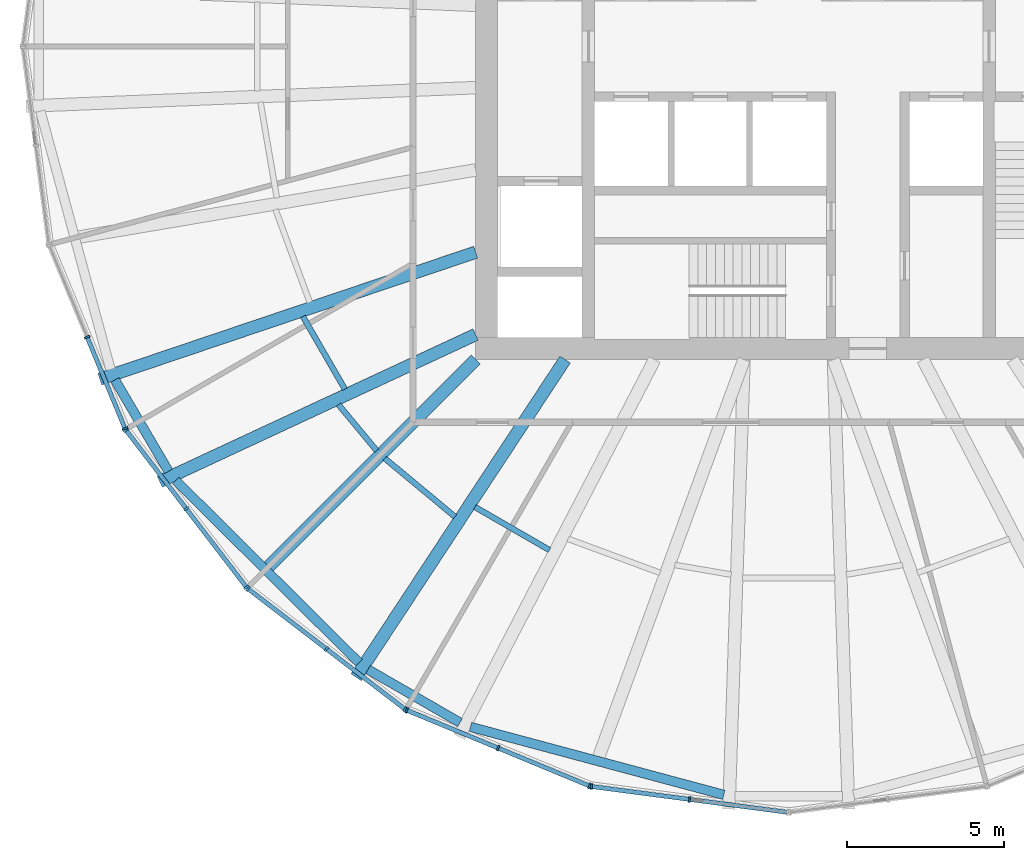
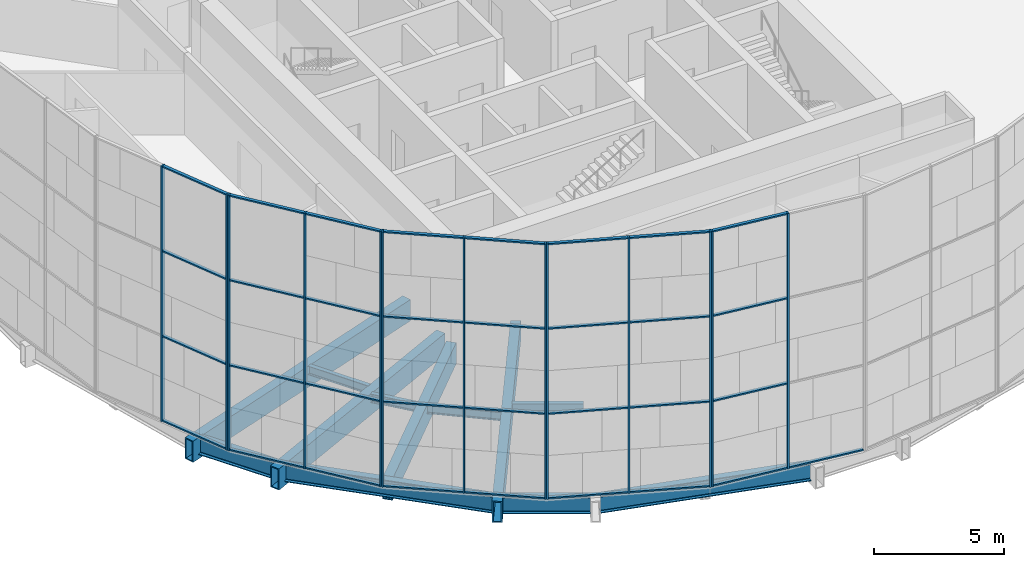
# One storey, part 1 of 22: 46 members, 12 beams, 5 elements without a shape of their own.
"""IFC4 building model written with IfcOpenShell, lengths in metres."""

from ifc_helpers import new_model, si_unit, direction, frame, origin, origin_2d, place, context, subcontext, project, spatial, rectangle, hollow_rectangle, i_section, extrude, material, material_profile, profile_set, type_object, element, aggregate, save


model = new_model("IFC4")

# Units and contexts
model_context = context("Model", 3, precision=1e-05, world=origin(), true_north=direction((0.0, 1.0)))
body_context = subcontext(model_context, "Body", "Model", "MODEL_VIEW")
ifc_project = project(units=[si_unit("LENGTHUNIT", "METRE"), si_unit("AREAUNIT", "SQUARE_METRE"), si_unit("VOLUMEUNIT", "CUBIC_METRE"), si_unit("PLANEANGLEUNIT", "RADIAN"), si_unit("MASSUNIT", "GRAM", prefix="KILO")], contexts=[model_context])

# Site, building, storey
site_placement = place(None, origin())
site = spatial("IfcSite", under=ifc_project, at=site_placement, CompositionType="ELEMENT")
building_placement = place(site_placement, origin())
building = spatial("IfcBuilding", under=site, at=building_placement, Name="Golbaran Civic Tower", CompositionType="ELEMENT")
storey_placement = place(building_placement, frame((0.0, 0.0, 90.0)))
storey = spatial("IfcBuildingStorey", under=building, at=storey_placement, Name="L21", CompositionType="ELEMENT", Elevation=90.0)

# Beams
ifc_material_1 = material(Name="Steel S355", Category="steel")
ifc_material_profile_1 = material_profile(ifc_material_1, i_section(OverallWidth=0.300048828125, OverallDepth=0.800048828125, WebThickness=0.017578125, FlangeThickness=0.032958984375, FilletRadius=0.030029296875, at=origin_2d()), Name="HEB 800")
ifc_profile_set_1 = profile_set([ifc_material_profile_1], Name="Steel S355")
beam_type_1 = type_object("IfcBeamType", Name="EDGE BEAM HEB 800", PredefinedType="BEAM", material=ifc_profile_set_1)
beam_1_placement = place(storey_placement, frame((-21.517822265625, -10.6474609375, -0.60009765625), z_axis=(0.50551208976, -0.862819521746, 0.0), x_axis=(0.862819521746, 0.50551208976, 0.0)))
element("IfcBeam", 1, at=beam_1_placement, inside=storey, type_object=beam_type_1, Name="Edge beam 205.58 L21", PredefinedType="BEAM", context=body_context, shape_type="SweptSolid", body=[
    extrude(i_section(OverallWidth=0.300048828125, OverallDepth=0.800048828125, WebThickness=0.017578125, FlangeThickness=0.032958984375, FilletRadius=0.030029296875, at=origin_2d()), origin(), (0.0, 0.0, 1.0), 3.383544921875),
])
beam_2_placement = place(storey_placement, frame((-19.580078125, -13.858154296875, -0.60009765625), z_axis=(0.709410042226, -0.704795993171, 0.0), x_axis=(0.704795993171, 0.709410042226, 0.0)))
element("IfcBeam", 2, at=beam_2_placement, inside=storey, type_object=beam_type_1, Name="Edge beam 214.42 L21", PredefinedType="BEAM", context=body_context, shape_type="SweptSolid", body=[
    extrude(i_section(OverallWidth=0.300048828125, OverallDepth=0.800048828125, WebThickness=0.017578125, FlangeThickness=0.032958984375, FilletRadius=0.030029296875, at=origin_2d()), origin(), (0.0, 0.0, 1.0), 8.25439453125),
])
beam_3_placement = place(storey_placement, frame((-13.43798828125, -19.895263671875, -0.60009765625), z_axis=(0.866177202748, -0.499736984262, 0.0), x_axis=(0.499736984262, 0.866177202748, 0.0)))
element("IfcBeam", 3, at=beam_3_placement, inside=storey, type_object=beam_type_1, Name="Edge beam 235.58 L21", PredefinedType="BEAM", context=body_context, shape_type="SweptSolid", body=[
    extrude(i_section(OverallWidth=0.300048828125, OverallDepth=0.800048828125, WebThickness=0.017578125, FlangeThickness=0.032958984375, FilletRadius=0.030029296875, at=origin_2d()), origin(), (0.0, 0.0, 1.0), 3.393798828125),
])
beam_4_placement = place(storey_placement, frame((-10.164306640625, -21.729248046875, -0.60009765625), z_axis=(0.965861874447, -0.259057598787, 0.0), x_axis=(0.259057598787, 0.965861874447, 0.0)))
element("IfcBeam", 4, at=beam_4_placement, inside=storey, type_object=beam_type_1, Name="Edge beam 244.42 L21", PredefinedType="BEAM", context=body_context, shape_type="SweptSolid", body=[
    extrude(i_section(OverallWidth=0.300048828125, OverallDepth=0.800048828125, WebThickness=0.017578125, FlangeThickness=0.032958984375, FilletRadius=0.030029296875, at=origin_2d()), origin(), (0.0, 0.0, 1.0), 8.375244140625),
])
ifc_material_profile_2 = material_profile(ifc_material_1, i_section(OverallWidth=0.179931640625, OverallDepth=0.39990234375, WebThickness=0.008544921875, FlangeThickness=0.013427734375, FilletRadius=0.02099609375, at=origin_2d()), Name="IPE 400")
ifc_profile_set_2 = profile_set([ifc_material_profile_2], Name="Steel S355")
beam_type_2 = type_object("IfcBeamType", Name="FLOOR INFILL BEAM IPE 400", PredefinedType="BEAM", material=ifc_profile_set_2)
beam_5_placement = place(storey_placement, frame((-15.515625, -8.622314453125, -0.39990234375), z_axis=(0.500045531117, -0.865999114786, 0.0), x_axis=(0.865999114786, 0.500045531117, 0.0)))
element("IfcBeam", 5, at=beam_5_placement, inside=storey, type_object=beam_type_2, Name="Infill beam 210.00 L21", PredefinedType="BEAM", context=body_context, shape_type="SweptSolid", body=[
    extrude(i_section(OverallWidth=0.179931640625, OverallDepth=0.39990234375, WebThickness=0.008544921875, FlangeThickness=0.013427734375, FilletRadius=0.02099609375, at=origin_2d()), origin(), (0.0, 0.0, 1.0), 2.681884765625),
])
beam_6_placement = place(storey_placement, frame((-14.37939453125, -11.437255859375, -0.39990234375), z_axis=(0.638925380548, -0.769268716439, 0.0), x_axis=(0.769268716439, 0.638925380548, 0.0)))
element("IfcBeam", 6, at=beam_6_placement, inside=storey, type_object=beam_type_2, Name="Infill beam 219.71 L21", PredefinedType="BEAM", context=body_context, shape_type="SweptSolid", body=[
    extrude(i_section(OverallWidth=0.179931640625, OverallDepth=0.39990234375, WebThickness=0.008544921875, FlangeThickness=0.013427734375, FilletRadius=0.02099609375, at=origin_2d()), origin(), (0.0, 0.0, 1.0), 1.90869140625),
])
beam_7_placement = place(storey_placement, frame((-12.900390625, -13.155029296875, -0.39990234375), z_axis=(0.769325958609, -0.638856454464, 0.0), x_axis=(0.638856454464, 0.769325958609, 0.0)))
element("IfcBeam", 7, at=beam_7_placement, inside=storey, type_object=beam_type_2, Name="Infill beam 230.29 L21", PredefinedType="BEAM", context=body_context, shape_type="SweptSolid", body=[
    extrude(i_section(OverallWidth=0.179931640625, OverallDepth=0.39990234375, WebThickness=0.008544921875, FlangeThickness=0.013427734375, FilletRadius=0.02099609375, at=origin_2d()), origin(), (0.0, 0.0, 1.0), 2.91357421875),
])
beam_8_placement = place(storey_placement, frame((-10.023681640625, -14.7060546875, -0.39990234375), z_axis=(0.866033343297, -0.499986248108, 0.0), x_axis=(0.499986248108, 0.866033343297, 0.0)))
element("IfcBeam", 8, at=beam_8_placement, inside=storey, type_object=beam_type_2, Name="Infill beam 240.00 L21", PredefinedType="BEAM", context=body_context, shape_type="SweptSolid", body=[
    extrude(i_section(OverallWidth=0.179931640625, OverallDepth=0.39990234375, WebThickness=0.008544921875, FlangeThickness=0.013427734375, FilletRadius=0.02099609375, at=origin_2d()), origin(), (0.0, 0.0, 1.0), 2.75048828125),
])

# Curtain wall, members
ifc_material_2 = material(Name="Aluminium and glass", Category="aluminium")
curtain_wall_type = type_object("IfcCurtainWallType", Name="INNER SKIN CURTAIN WALL", PredefinedType="NOTDEFINED", material=ifc_material_2)
curtain_wall_1_placement = place(storey_placement, origin())
curtain_wall_1 = element("IfcCurtainWall", 9, at=curtain_wall_1_placement, inside=storey, type_object=curtain_wall_type, Name="Inner skin L21 facet 14 CW1", ObjectType="INNER SKIN", PredefinedType="USERDEFINED")
ifc_material_3 = material(Name="Aluminium", Category="aluminium")
ifc_material_profile_3 = material_profile(ifc_material_3, rectangle(XDim=0.179931640625, YDim=0.06494140625, at=origin_2d()), Name="INNER SKIN CURTAIN WALL MULLION")
ifc_profile_set_3 = profile_set([ifc_material_profile_3], Name="Aluminium")
member_type_1 = type_object("IfcMemberType", Name="INNER SKIN CURTAIN WALL MULLION", PredefinedType="MULLION", material=ifc_profile_set_3)
member_1_placement = place(storey_placement, frame((-22.40576171875, -9.28076171875, 0.0), z_axis=(0.0, 0.0, 1.0), x_axis=(0.923879532511, 0.382683432365, 0.0)))
member_1 = element("IfcMember", 10, at=member_1_placement, type_object=member_type_1, Name="CW1 mullion 2", PredefinedType="MULLION", context=body_context, shape_type="SweptSolid", body=[
    extrude(rectangle(XDim=0.179931640625, YDim=0.06494140625, at=origin_2d()), origin(), (0.0, 0.0, 1.0), 12.0),
])
member_2_placement = place(storey_placement, frame((-21.1962890625, -12.200439453125, 0.0), z_axis=(0.0, 0.0, 1.0), x_axis=(0.923879532511, 0.382683432365, 0.0)))
member_2 = element("IfcMember", 11, at=member_2_placement, type_object=member_type_1, Name="CW1 mullion 3", PredefinedType="MULLION", context=body_context, shape_type="SweptSolid", body=[
    extrude(rectangle(XDim=0.179931640625, YDim=0.06494140625, at=origin_2d()), origin(), (0.0, 0.0, 1.0), 12.0),
])

curtain_wall_2_placement = place(storey_placement, origin())
curtain_wall_2 = element("IfcCurtainWall", 12, at=curtain_wall_2_placement, inside=storey, type_object=curtain_wall_type, Name="Inner skin L21 facet 15 CW1", ObjectType="INNER SKIN", PredefinedType="USERDEFINED")
member_3_placement = place(storey_placement, frame((-21.1640625, -12.25634765625, 0.0), z_axis=(0.0, 0.0, 1.0), x_axis=(0.793353340344, 0.608761428939, 0.0)))
member_3 = element("IfcMember", 13, at=member_3_placement, type_object=member_type_1, Name="CW1 mullion 1", PredefinedType="MULLION", context=body_context, shape_type="SweptSolid", body=[
    extrude(rectangle(XDim=0.179931640625, YDim=0.06494140625, at=origin_2d()), origin(), (0.0, 0.0, 1.0), 12.0),
])
member_4_placement = place(storey_placement, frame((-19.240234375, -14.763427734375, 0.0), z_axis=(0.0, 0.0, 1.0), x_axis=(0.793353340344, 0.608761428939, 0.0)))
member_4 = element("IfcMember", 14, at=member_4_placement, type_object=member_type_1, Name="CW1 mullion 2", PredefinedType="MULLION", context=body_context, shape_type="SweptSolid", body=[
    extrude(rectangle(XDim=0.179931640625, YDim=0.06494140625, at=origin_2d()), origin(), (0.0, 0.0, 1.0), 12.0),
])
member_5_placement = place(storey_placement, frame((-17.31640625, -17.270751953125, 0.0), z_axis=(0.0, 0.0, 1.0), x_axis=(0.793353340344, 0.608761428939, 0.0)))
member_5 = element("IfcMember", 15, at=member_5_placement, type_object=member_type_1, Name="CW1 mullion 3", PredefinedType="MULLION", context=body_context, shape_type="SweptSolid", body=[
    extrude(rectangle(XDim=0.179931640625, YDim=0.06494140625, at=origin_2d()), origin(), (0.0, 0.0, 1.0), 12.0),
])

curtain_wall_3_placement = place(storey_placement, origin())
curtain_wall_3 = element("IfcCurtainWall", 16, at=curtain_wall_3_placement, inside=storey, type_object=curtain_wall_type, Name="Inner skin L21 facet 16 CW1", ObjectType="INNER SKIN", PredefinedType="USERDEFINED")
member_6_placement = place(storey_placement, frame((-17.270751953125, -17.31640625, 0.0), z_axis=(0.0, 0.0, 1.0), x_axis=(0.608761428939, 0.793353340344, 0.0)))
member_6 = element("IfcMember", 17, at=member_6_placement, type_object=member_type_1, Name="CW1 mullion 1", PredefinedType="MULLION", context=body_context, shape_type="SweptSolid", body=[
    extrude(rectangle(XDim=0.179931640625, YDim=0.06494140625, at=origin_2d()), origin(), (0.0, 0.0, 1.0), 12.0),
])
member_7_placement = place(storey_placement, frame((-14.763427734375, -19.240234375, 0.0), z_axis=(0.0, 0.0, 1.0), x_axis=(0.608761428939, 0.793353340344, 0.0)))
member_7 = element("IfcMember", 18, at=member_7_placement, type_object=member_type_1, Name="CW1 mullion 2", PredefinedType="MULLION", context=body_context, shape_type="SweptSolid", body=[
    extrude(rectangle(XDim=0.179931640625, YDim=0.06494140625, at=origin_2d()), origin(), (0.0, 0.0, 1.0), 12.0),
])
member_8_placement = place(storey_placement, frame((-12.25634765625, -21.1640625, 0.0), z_axis=(0.0, 0.0, 1.0), x_axis=(0.608761428939, 0.793353340344, 0.0)))
member_8 = element("IfcMember", 19, at=member_8_placement, type_object=member_type_1, Name="CW1 mullion 3", PredefinedType="MULLION", context=body_context, shape_type="SweptSolid", body=[
    extrude(rectangle(XDim=0.179931640625, YDim=0.06494140625, at=origin_2d()), origin(), (0.0, 0.0, 1.0), 12.0),
])

curtain_wall_4_placement = place(storey_placement, origin())
curtain_wall_4 = element("IfcCurtainWall", 20, at=curtain_wall_4_placement, inside=storey, type_object=curtain_wall_type, Name="Inner skin L21 facet 17 CW1", ObjectType="INNER SKIN", PredefinedType="USERDEFINED")
member_9_placement = place(storey_placement, frame((-12.200439453125, -21.1962890625, 0.0), z_axis=(0.0, 0.0, 1.0), x_axis=(0.382683432365, 0.923879532511, 0.0)))
member_9 = element("IfcMember", 21, at=member_9_placement, type_object=member_type_1, Name="CW1 mullion 1", PredefinedType="MULLION", context=body_context, shape_type="SweptSolid", body=[
    extrude(rectangle(XDim=0.179931640625, YDim=0.06494140625, at=origin_2d()), origin(), (0.0, 0.0, 1.0), 12.0),
])
member_10_placement = place(storey_placement, frame((-9.28076171875, -22.40576171875, 0.0), z_axis=(0.0, 0.0, 1.0), x_axis=(0.382683432365, 0.923879532511, 0.0)))
member_10 = element("IfcMember", 22, at=member_10_placement, type_object=member_type_1, Name="CW1 mullion 2", PredefinedType="MULLION", context=body_context, shape_type="SweptSolid", body=[
    extrude(rectangle(XDim=0.179931640625, YDim=0.06494140625, at=origin_2d()), origin(), (0.0, 0.0, 1.0), 12.0),
])
member_11_placement = place(storey_placement, frame((-6.361083984375, -23.614990234375, 0.0), z_axis=(0.0, 0.0, 1.0), x_axis=(0.382683432365, 0.923879532511, 0.0)))
member_11 = element("IfcMember", 23, at=member_11_placement, type_object=member_type_1, Name="CW1 mullion 3", PredefinedType="MULLION", context=body_context, shape_type="SweptSolid", body=[
    extrude(rectangle(XDim=0.179931640625, YDim=0.06494140625, at=origin_2d()), origin(), (0.0, 0.0, 1.0), 12.0),
])

curtain_wall_5_placement = place(storey_placement, origin())
curtain_wall_5 = element("IfcCurtainWall", 24, at=curtain_wall_5_placement, inside=storey, type_object=curtain_wall_type, Name="Inner skin L21 facet 18 CW1", ObjectType="INNER SKIN", PredefinedType="USERDEFINED")
member_12_placement = place(storey_placement, frame((-6.298828125, -23.6318359375, 0.0), z_axis=(0.0, 0.0, 1.0), x_axis=(0.130526192203, 0.991444861376, 0.0)))
member_12 = element("IfcMember", 25, at=member_12_placement, type_object=member_type_1, Name="CW1 mullion 1", PredefinedType="MULLION", context=body_context, shape_type="SweptSolid", body=[
    extrude(rectangle(XDim=0.179931640625, YDim=0.06494140625, at=origin_2d()), origin(), (0.0, 0.0, 1.0), 12.0),
])
member_13_placement = place(storey_placement, frame((-3.16552734375, -24.044189453125, 0.0), z_axis=(0.0, 0.0, 1.0), x_axis=(0.130526192203, 0.991444861376, 0.0)))
member_13 = element("IfcMember", 26, at=member_13_placement, type_object=member_type_1, Name="CW1 mullion 2", PredefinedType="MULLION", context=body_context, shape_type="SweptSolid", body=[
    extrude(rectangle(XDim=0.179931640625, YDim=0.06494140625, at=origin_2d()), origin(), (0.0, 0.0, 1.0), 12.0),
])

# Member
ifc_material_profile_4 = material_profile(ifc_material_3, rectangle(XDim=0.139892578125, YDim=0.06494140625, at=origin_2d()), Name="INNER SKIN CURTAIN WALL TRANSOM")
ifc_profile_set_4 = profile_set([ifc_material_profile_4], Name="Aluminium")
member_type_2 = type_object("IfcMemberType", Name="INNER SKIN CURTAIN WALL TRANSOM", PredefinedType="USERDEFINED", material=ifc_profile_set_4)
member_14_placement = place(storey_placement, frame((-22.393310546875, -9.310791015625, 0.032470703125), z_axis=(0.382704743455, -0.923870704881, 0.0), x_axis=(0.923870704881, 0.382704743455, 0.0)))
member_14 = element("IfcMember", 27, at=member_14_placement, type_object=member_type_2, Name="CW1 transom 2.1", ObjectType="TRANSOM", PredefinedType="USERDEFINED", context=body_context, shape_type="SweptSolid", body=[
    extrude(rectangle(XDim=0.139892578125, YDim=0.06494140625, at=origin_2d()), origin(), (0.0, 0.0, 1.0), 3.09521484375),
])

member_15_placement = place(storey_placement, frame((-22.393310546875, -9.310791015625, 4.0), z_axis=(0.382704743455, -0.923870704881, 0.0), x_axis=(0.923870704881, 0.382704743455, 0.0)))
member_15 = element("IfcMember", 28, at=member_15_placement, type_object=member_type_2, Name="CW1 transom 2.2", ObjectType="TRANSOM", PredefinedType="USERDEFINED", context=body_context, shape_type="SweptSolid", body=[
    extrude(rectangle(XDim=0.139892578125, YDim=0.06494140625, at=origin_2d()), origin(), (0.0, 0.0, 1.0), 3.09521484375),
])

member_16_placement = place(storey_placement, frame((-22.393310546875, -9.310791015625, 8.0), z_axis=(0.382704743455, -0.923870704881, 0.0), x_axis=(0.923870704881, 0.382704743455, 0.0)))
member_16 = element("IfcMember", 29, at=member_16_placement, type_object=member_type_2, Name="CW1 transom 2.3", ObjectType="TRANSOM", PredefinedType="USERDEFINED", context=body_context, shape_type="SweptSolid", body=[
    extrude(rectangle(XDim=0.139892578125, YDim=0.06494140625, at=origin_2d()), origin(), (0.0, 0.0, 1.0), 3.09521484375),
])

member_17_placement = place(storey_placement, frame((-22.393310546875, -9.310791015625, 11.967529296875), z_axis=(0.382704743455, -0.923870704881, 0.0), x_axis=(0.923870704881, 0.382704743455, 0.0)))
member_17 = element("IfcMember", 30, at=member_17_placement, type_object=member_type_2, Name="CW1 transom 2.4", ObjectType="TRANSOM", PredefinedType="USERDEFINED", context=body_context, shape_type="SweptSolid", body=[
    extrude(rectangle(XDim=0.139892578125, YDim=0.06494140625, at=origin_2d()), origin(), (0.0, 0.0, 1.0), 3.09521484375),
])

aggregate(curtain_wall_1, [member_1, member_2, member_14, member_15, member_16, member_17])

member_18_placement = place(storey_placement, frame((-21.144287109375, -12.281982421875, 0.032470703125), z_axis=(0.608734513706, -0.793373992404, 0.0), x_axis=(0.793373992404, 0.608734513706, 0.0)))
member_18 = element("IfcMember", 31, at=member_18_placement, type_object=member_type_2, Name="CW1 transom 1.1", ObjectType="TRANSOM", PredefinedType="USERDEFINED", context=body_context, shape_type="SweptSolid", body=[
    extrude(rectangle(XDim=0.139892578125, YDim=0.06494140625, at=origin_2d()), origin(), (0.0, 0.0, 1.0), 3.095458984375),
])

member_19_placement = place(storey_placement, frame((-21.144287109375, -12.281982421875, 4.0), z_axis=(0.608734513706, -0.793373992404, 0.0), x_axis=(0.793373992404, 0.608734513706, 0.0)))
member_19 = element("IfcMember", 32, at=member_19_placement, type_object=member_type_2, Name="CW1 transom 1.2", ObjectType="TRANSOM", PredefinedType="USERDEFINED", context=body_context, shape_type="SweptSolid", body=[
    extrude(rectangle(XDim=0.139892578125, YDim=0.06494140625, at=origin_2d()), origin(), (0.0, 0.0, 1.0), 3.095458984375),
])

member_20_placement = place(storey_placement, frame((-21.144287109375, -12.281982421875, 8.0), z_axis=(0.608734513706, -0.793373992404, 0.0), x_axis=(0.793373992404, 0.608734513706, 0.0)))
member_20 = element("IfcMember", 33, at=member_20_placement, type_object=member_type_2, Name="CW1 transom 1.3", ObjectType="TRANSOM", PredefinedType="USERDEFINED", context=body_context, shape_type="SweptSolid", body=[
    extrude(rectangle(XDim=0.139892578125, YDim=0.06494140625, at=origin_2d()), origin(), (0.0, 0.0, 1.0), 3.095458984375),
])

member_21_placement = place(storey_placement, frame((-21.144287109375, -12.281982421875, 11.967529296875), z_axis=(0.608734513706, -0.793373992404, 0.0), x_axis=(0.793373992404, 0.608734513706, 0.0)))
member_21 = element("IfcMember", 34, at=member_21_placement, type_object=member_type_2, Name="CW1 transom 1.4", ObjectType="TRANSOM", PredefinedType="USERDEFINED", context=body_context, shape_type="SweptSolid", body=[
    extrude(rectangle(XDim=0.139892578125, YDim=0.06494140625, at=origin_2d()), origin(), (0.0, 0.0, 1.0), 3.095458984375),
])

member_22_placement = place(storey_placement, frame((-19.220458984375, -14.789306640625, 0.032470703125), z_axis=(0.608772606973, -0.793344763013, 0.0), x_axis=(0.793344763013, 0.608772606973, 0.0)))
member_22 = element("IfcMember", 35, at=member_22_placement, type_object=member_type_2, Name="CW1 transom 2.1", ObjectType="TRANSOM", PredefinedType="USERDEFINED", context=body_context, shape_type="SweptSolid", body=[
    extrude(rectangle(XDim=0.139892578125, YDim=0.06494140625, at=origin_2d()), origin(), (0.0, 0.0, 1.0), 3.09521484375),
])

member_23_placement = place(storey_placement, frame((-19.220458984375, -14.789306640625, 4.0), z_axis=(0.608772606973, -0.793344763013, 0.0), x_axis=(0.793344763013, 0.608772606973, 0.0)))
member_23 = element("IfcMember", 36, at=member_23_placement, type_object=member_type_2, Name="CW1 transom 2.2", ObjectType="TRANSOM", PredefinedType="USERDEFINED", context=body_context, shape_type="SweptSolid", body=[
    extrude(rectangle(XDim=0.139892578125, YDim=0.06494140625, at=origin_2d()), origin(), (0.0, 0.0, 1.0), 3.09521484375),
])

member_24_placement = place(storey_placement, frame((-19.220458984375, -14.789306640625, 8.0), z_axis=(0.608772606973, -0.793344763013, 0.0), x_axis=(0.793344763013, 0.608772606973, 0.0)))
member_24 = element("IfcMember", 37, at=member_24_placement, type_object=member_type_2, Name="CW1 transom 2.3", ObjectType="TRANSOM", PredefinedType="USERDEFINED", context=body_context, shape_type="SweptSolid", body=[
    extrude(rectangle(XDim=0.139892578125, YDim=0.06494140625, at=origin_2d()), origin(), (0.0, 0.0, 1.0), 3.09521484375),
])

member_25_placement = place(storey_placement, frame((-19.220458984375, -14.789306640625, 11.967529296875), z_axis=(0.608772606973, -0.793344763013, 0.0), x_axis=(0.793344763013, 0.608772606973, 0.0)))
member_25 = element("IfcMember", 38, at=member_25_placement, type_object=member_type_2, Name="CW1 transom 2.4", ObjectType="TRANSOM", PredefinedType="USERDEFINED", context=body_context, shape_type="SweptSolid", body=[
    extrude(rectangle(XDim=0.139892578125, YDim=0.06494140625, at=origin_2d()), origin(), (0.0, 0.0, 1.0), 3.09521484375),
])

aggregate(curtain_wall_2, [member_3, member_4, member_5, member_18, member_19, member_20, member_21, member_22, member_23, member_24, member_25])

member_26_placement = place(storey_placement, frame((-17.244873046875, -17.336181640625, 0.032470703125), z_axis=(0.793344763013, -0.608772606973, 0.0), x_axis=(0.608772606973, 0.793344763013, 0.0)))
member_26 = element("IfcMember", 39, at=member_26_placement, type_object=member_type_2, Name="CW1 transom 1.1", ObjectType="TRANSOM", PredefinedType="USERDEFINED", context=body_context, shape_type="SweptSolid", body=[
    extrude(rectangle(XDim=0.139892578125, YDim=0.06494140625, at=origin_2d()), origin(), (0.0, 0.0, 1.0), 3.09521484375),
])

member_27_placement = place(storey_placement, frame((-17.244873046875, -17.336181640625, 4.0), z_axis=(0.793344763013, -0.608772606973, 0.0), x_axis=(0.608772606973, 0.793344763013, 0.0)))
member_27 = element("IfcMember", 40, at=member_27_placement, type_object=member_type_2, Name="CW1 transom 1.2", ObjectType="TRANSOM", PredefinedType="USERDEFINED", context=body_context, shape_type="SweptSolid", body=[
    extrude(rectangle(XDim=0.139892578125, YDim=0.06494140625, at=origin_2d()), origin(), (0.0, 0.0, 1.0), 3.09521484375),
])

member_28_placement = place(storey_placement, frame((-17.244873046875, -17.336181640625, 8.0), z_axis=(0.793344763013, -0.608772606973, 0.0), x_axis=(0.608772606973, 0.793344763013, 0.0)))
member_28 = element("IfcMember", 41, at=member_28_placement, type_object=member_type_2, Name="CW1 transom 1.3", ObjectType="TRANSOM", PredefinedType="USERDEFINED", context=body_context, shape_type="SweptSolid", body=[
    extrude(rectangle(XDim=0.139892578125, YDim=0.06494140625, at=origin_2d()), origin(), (0.0, 0.0, 1.0), 3.09521484375),
])

member_29_placement = place(storey_placement, frame((-17.244873046875, -17.336181640625, 11.967529296875), z_axis=(0.793344763013, -0.608772606973, 0.0), x_axis=(0.608772606973, 0.793344763013, 0.0)))
member_29 = element("IfcMember", 42, at=member_29_placement, type_object=member_type_2, Name="CW1 transom 1.4", ObjectType="TRANSOM", PredefinedType="USERDEFINED", context=body_context, shape_type="SweptSolid", body=[
    extrude(rectangle(XDim=0.139892578125, YDim=0.06494140625, at=origin_2d()), origin(), (0.0, 0.0, 1.0), 3.09521484375),
])

member_30_placement = place(storey_placement, frame((-14.73779296875, -19.260009765625, 0.032470703125), z_axis=(0.793373992404, -0.608734513706, 0.0), x_axis=(0.608734513706, 0.793373992404, 0.0)))
member_30 = element("IfcMember", 43, at=member_30_placement, type_object=member_type_2, Name="CW1 transom 2.1", ObjectType="TRANSOM", PredefinedType="USERDEFINED", context=body_context, shape_type="SweptSolid", body=[
    extrude(rectangle(XDim=0.139892578125, YDim=0.06494140625, at=origin_2d()), origin(), (0.0, 0.0, 1.0), 3.095458984375),
])

member_31_placement = place(storey_placement, frame((-14.73779296875, -19.260009765625, 4.0), z_axis=(0.793373992404, -0.608734513706, 0.0), x_axis=(0.608734513706, 0.793373992404, 0.0)))
member_31 = element("IfcMember", 44, at=member_31_placement, type_object=member_type_2, Name="CW1 transom 2.2", ObjectType="TRANSOM", PredefinedType="USERDEFINED", context=body_context, shape_type="SweptSolid", body=[
    extrude(rectangle(XDim=0.139892578125, YDim=0.06494140625, at=origin_2d()), origin(), (0.0, 0.0, 1.0), 3.095458984375),
])

member_32_placement = place(storey_placement, frame((-14.73779296875, -19.260009765625, 8.0), z_axis=(0.793373992404, -0.608734513706, 0.0), x_axis=(0.608734513706, 0.793373992404, 0.0)))
member_32 = element("IfcMember", 45, at=member_32_placement, type_object=member_type_2, Name="CW1 transom 2.3", ObjectType="TRANSOM", PredefinedType="USERDEFINED", context=body_context, shape_type="SweptSolid", body=[
    extrude(rectangle(XDim=0.139892578125, YDim=0.06494140625, at=origin_2d()), origin(), (0.0, 0.0, 1.0), 3.095458984375),
])

member_33_placement = place(storey_placement, frame((-14.73779296875, -19.260009765625, 11.967529296875), z_axis=(0.793373992404, -0.608734513706, 0.0), x_axis=(0.608734513706, 0.793373992404, 0.0)))
member_33 = element("IfcMember", 46, at=member_33_placement, type_object=member_type_2, Name="CW1 transom 2.4", ObjectType="TRANSOM", PredefinedType="USERDEFINED", context=body_context, shape_type="SweptSolid", body=[
    extrude(rectangle(XDim=0.139892578125, YDim=0.06494140625, at=origin_2d()), origin(), (0.0, 0.0, 1.0), 3.095458984375),
])

aggregate(curtain_wall_3, [member_6, member_7, member_8, member_26, member_27, member_28, member_29, member_30, member_31, member_32, member_33])

member_34_placement = place(storey_placement, frame((-12.17041015625, -21.208740234375, 0.032470703125), z_axis=(0.923870704881, -0.382704743455, 0.0), x_axis=(0.382704743455, 0.923870704881, 0.0)))
member_34 = element("IfcMember", 47, at=member_34_placement, type_object=member_type_2, Name="CW1 transom 1.1", ObjectType="TRANSOM", PredefinedType="USERDEFINED", context=body_context, shape_type="SweptSolid", body=[
    extrude(rectangle(XDim=0.139892578125, YDim=0.06494140625, at=origin_2d()), origin(), (0.0, 0.0, 1.0), 3.09521484375),
])

member_35_placement = place(storey_placement, frame((-12.17041015625, -21.208740234375, 4.0), z_axis=(0.923870704881, -0.382704743455, 0.0), x_axis=(0.382704743455, 0.923870704881, 0.0)))
member_35 = element("IfcMember", 48, at=member_35_placement, type_object=member_type_2, Name="CW1 transom 1.2", ObjectType="TRANSOM", PredefinedType="USERDEFINED", context=body_context, shape_type="SweptSolid", body=[
    extrude(rectangle(XDim=0.139892578125, YDim=0.06494140625, at=origin_2d()), origin(), (0.0, 0.0, 1.0), 3.09521484375),
])

member_36_placement = place(storey_placement, frame((-12.17041015625, -21.208740234375, 8.0), z_axis=(0.923870704881, -0.382704743455, 0.0), x_axis=(0.382704743455, 0.923870704881, 0.0)))
member_36 = element("IfcMember", 49, at=member_36_placement, type_object=member_type_2, Name="CW1 transom 1.3", ObjectType="TRANSOM", PredefinedType="USERDEFINED", context=body_context, shape_type="SweptSolid", body=[
    extrude(rectangle(XDim=0.139892578125, YDim=0.06494140625, at=origin_2d()), origin(), (0.0, 0.0, 1.0), 3.09521484375),
])

member_37_placement = place(storey_placement, frame((-12.17041015625, -21.208740234375, 11.967529296875), z_axis=(0.923870704881, -0.382704743455, 0.0), x_axis=(0.382704743455, 0.923870704881, 0.0)))
member_37 = element("IfcMember", 50, at=member_37_placement, type_object=member_type_2, Name="CW1 transom 1.4", ObjectType="TRANSOM", PredefinedType="USERDEFINED", context=body_context, shape_type="SweptSolid", body=[
    extrude(rectangle(XDim=0.139892578125, YDim=0.06494140625, at=origin_2d()), origin(), (0.0, 0.0, 1.0), 3.09521484375),
])

member_38_placement = place(storey_placement, frame((-9.250732421875, -22.418212890625, 0.032470703125), z_axis=(0.923898591316, -0.382637417099, 0.0), x_axis=(0.382637417099, 0.923898591316, 0.0)))
member_38 = element("IfcMember", 51, at=member_38_placement, type_object=member_type_2, Name="CW1 transom 2.1", ObjectType="TRANSOM", PredefinedType="USERDEFINED", context=body_context, shape_type="SweptSolid", body=[
    extrude(rectangle(XDim=0.139892578125, YDim=0.06494140625, at=origin_2d()), origin(), (0.0, 0.0, 1.0), 3.09521484375),
])

member_39_placement = place(storey_placement, frame((-9.250732421875, -22.418212890625, 4.0), z_axis=(0.923898591316, -0.382637417099, 0.0), x_axis=(0.382637417099, 0.923898591316, 0.0)))
member_39 = element("IfcMember", 52, at=member_39_placement, type_object=member_type_2, Name="CW1 transom 2.2", ObjectType="TRANSOM", PredefinedType="USERDEFINED", context=body_context, shape_type="SweptSolid", body=[
    extrude(rectangle(XDim=0.139892578125, YDim=0.06494140625, at=origin_2d()), origin(), (0.0, 0.0, 1.0), 3.09521484375),
])

member_40_placement = place(storey_placement, frame((-9.250732421875, -22.418212890625, 8.0), z_axis=(0.923898591316, -0.382637417099, 0.0), x_axis=(0.382637417099, 0.923898591316, 0.0)))
member_40 = element("IfcMember", 53, at=member_40_placement, type_object=member_type_2, Name="CW1 transom 2.3", ObjectType="TRANSOM", PredefinedType="USERDEFINED", context=body_context, shape_type="SweptSolid", body=[
    extrude(rectangle(XDim=0.139892578125, YDim=0.06494140625, at=origin_2d()), origin(), (0.0, 0.0, 1.0), 3.09521484375),
])

member_41_placement = place(storey_placement, frame((-9.250732421875, -22.418212890625, 11.967529296875), z_axis=(0.923898591316, -0.382637417099, 0.0), x_axis=(0.382637417099, 0.923898591316, 0.0)))
member_41 = element("IfcMember", 54, at=member_41_placement, type_object=member_type_2, Name="CW1 transom 2.4", ObjectType="TRANSOM", PredefinedType="USERDEFINED", context=body_context, shape_type="SweptSolid", body=[
    extrude(rectangle(XDim=0.139892578125, YDim=0.06494140625, at=origin_2d()), origin(), (0.0, 0.0, 1.0), 3.09521484375),
])

aggregate(curtain_wall_4, [member_9, member_10, member_11, member_34, member_35, member_36, member_37, member_38, member_39, member_40, member_41])

member_42_placement = place(storey_placement, frame((-6.2666015625, -23.635986328125, 0.032470703125), z_axis=(0.99144355375, -0.130536124221, 0.0), x_axis=(0.130536124221, 0.99144355375, 0.0)))
member_42 = element("IfcMember", 55, at=member_42_placement, type_object=member_type_2, Name="CW1 transom 1.1", ObjectType="TRANSOM", PredefinedType="USERDEFINED", context=body_context, shape_type="SweptSolid", body=[
    extrude(rectangle(XDim=0.139892578125, YDim=0.06494140625, at=origin_2d()), origin(), (0.0, 0.0, 1.0), 3.09521484375),
])

member_43_placement = place(storey_placement, frame((-6.2666015625, -23.635986328125, 4.0), z_axis=(0.99144355375, -0.130536124221, 0.0), x_axis=(0.130536124221, 0.99144355375, 0.0)))
member_43 = element("IfcMember", 56, at=member_43_placement, type_object=member_type_2, Name="CW1 transom 1.2", ObjectType="TRANSOM", PredefinedType="USERDEFINED", context=body_context, shape_type="SweptSolid", body=[
    extrude(rectangle(XDim=0.139892578125, YDim=0.06494140625, at=origin_2d()), origin(), (0.0, 0.0, 1.0), 3.09521484375),
])

member_44_placement = place(storey_placement, frame((-6.2666015625, -23.635986328125, 8.0), z_axis=(0.99144355375, -0.130536124221, 0.0), x_axis=(0.130536124221, 0.99144355375, 0.0)))
member_44 = element("IfcMember", 57, at=member_44_placement, type_object=member_type_2, Name="CW1 transom 1.3", ObjectType="TRANSOM", PredefinedType="USERDEFINED", context=body_context, shape_type="SweptSolid", body=[
    extrude(rectangle(XDim=0.139892578125, YDim=0.06494140625, at=origin_2d()), origin(), (0.0, 0.0, 1.0), 3.09521484375),
])

member_45_placement = place(storey_placement, frame((-6.2666015625, -23.635986328125, 11.967529296875), z_axis=(0.99144355375, -0.130536124221, 0.0), x_axis=(0.130536124221, 0.99144355375, 0.0)))
member_45 = element("IfcMember", 58, at=member_45_placement, type_object=member_type_2, Name="CW1 transom 1.4", ObjectType="TRANSOM", PredefinedType="USERDEFINED", context=body_context, shape_type="SweptSolid", body=[
    extrude(rectangle(XDim=0.139892578125, YDim=0.06494140625, at=origin_2d()), origin(), (0.0, 0.0, 1.0), 3.09521484375),
])

member_46_placement = place(storey_placement, frame((-3.13330078125, -24.048583984375, 0.032470703125), z_axis=(0.99144355375, -0.130536124221, 0.0), x_axis=(0.130536124221, 0.99144355375, 0.0)))
member_46 = element("IfcMember", 59, at=member_46_placement, type_object=member_type_2, Name="CW1 transom 2.1", ObjectType="TRANSOM", PredefinedType="USERDEFINED", context=body_context, shape_type="SweptSolid", body=[
    extrude(rectangle(XDim=0.139892578125, YDim=0.06494140625, at=origin_2d()), origin(), (0.0, 0.0, 1.0), 3.09521484375),
])

aggregate(curtain_wall_5, [member_12, member_13, member_42, member_43, member_44, member_45, member_46])

# Beams
ifc_material_profile_5 = material_profile(ifc_material_1, hollow_rectangle(XDim=0.39990234375, YDim=1.0, WallThickness=0.050048828125, at=origin_2d()), Name="BOX 1000x400x50")
ifc_profile_set_5 = profile_set([ifc_material_profile_5], Name="Steel S355")
beam_type_3 = type_object("IfcBeamType", Name="RADIAL FLOOR BEAM BOX 1000x400x50", PredefinedType="BEAM", material=ifc_profile_set_5)
beam_9_placement = place(storey_placement, frame((-10.0, -6.571533203125, -0.7099609375), z_axis=(-0.947528474415, -0.319671378408, 0.0), x_axis=(0.319671378408, -0.947528474415, 0.0)))
element("IfcBeam", 60, at=beam_9_placement, inside=storey, type_object=beam_type_3, Name="Radial beam 205.58 L21", PredefinedType="BEAM", context=body_context, shape_type="SweptSolid", body=[
    extrude(hollow_rectangle(XDim=0.39990234375, YDim=1.0, WallThickness=0.050048828125, at=origin_2d()), origin(), (0.0, 0.0, 1.0), 12.668701171875),
])
beam_10_placement = place(storey_placement, frame((-10.0, -9.199951171875, -0.7099609375), z_axis=(-0.906581192846, -0.422031445247, 0.0), x_axis=(0.422031445247, -0.906581192846, 0.0)))
element("IfcBeam", 61, at=beam_10_placement, inside=storey, type_object=beam_type_3, Name="Radial beam 214.42 L21", PredefinedType="BEAM", context=body_context, shape_type="SweptSolid", body=[
    extrude(hollow_rectangle(XDim=0.39990234375, YDim=1.0, WallThickness=0.050048828125, at=origin_2d()), origin(), (0.0, 0.0, 1.0), 11.129638671875),
])
beam_11_placement = place(storey_placement, frame((-7.142822265625, -10.0, -0.7099609375), z_axis=(-0.549647880779, -0.835396437121, 0.0), x_axis=(0.835396437121, -0.549647880779, 0.0)))
element("IfcBeam", 62, at=beam_11_placement, inside=storey, type_object=beam_type_3, Name="Radial beam 235.58 L21", PredefinedType="BEAM", context=body_context, shape_type="SweptSolid", body=[
    extrude(hollow_rectangle(XDim=0.39990234375, YDim=1.0, WallThickness=0.050048828125, at=origin_2d()), origin(), (0.0, 0.0, 1.0), 12.14599609375),
])
ifc_material_profile_6 = material_profile(ifc_material_1, hollow_rectangle(XDim=0.39990234375, YDim=1.0, WallThickness=0.0400390625, at=origin_2d()), Name="BOX 1000x400x40")
ifc_profile_set_6 = profile_set([ifc_material_profile_6], Name="Steel S355")
beam_type_4 = type_object("IfcBeamType", Name="SECONDARY FLOOR BEAM BOX 1000x400x40", PredefinedType="BEAM", material=ifc_profile_set_6)
beam_12_placement = place(storey_placement, frame((-10.0, -10.0, -0.7099609375), z_axis=(-0.707106781187, -0.707106781187, 0.0), x_axis=(0.707106781187, -0.707106781187, 0.0)))
element("IfcBeam", 63, at=beam_12_placement, inside=storey, type_object=beam_type_4, Name="Secondary beam 225.00 L21", PredefinedType="BEAM", context=body_context, shape_type="SweptSolid", body=[
    extrude(hollow_rectangle(XDim=0.39990234375, YDim=1.0, WallThickness=0.0400390625, at=origin_2d()), origin(), (0.0, 0.0, 1.0), 9.489013671875),
])

save(model, "model.ifc")
